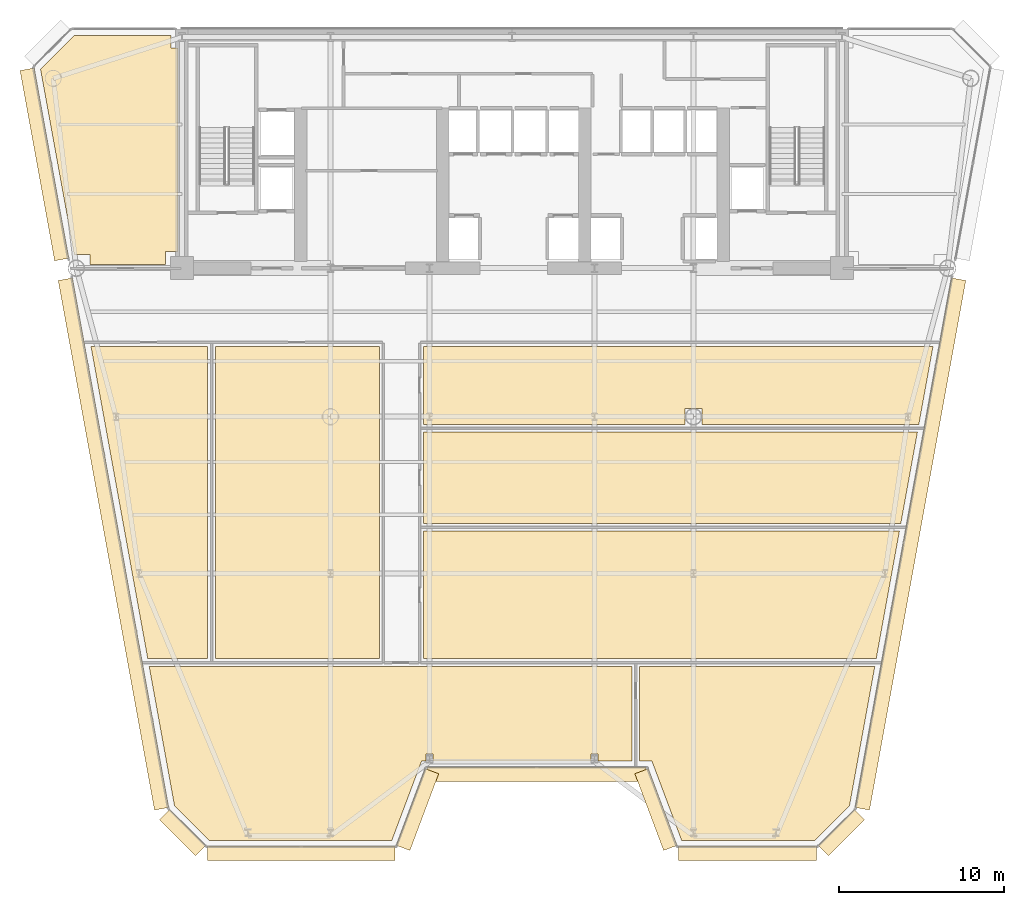
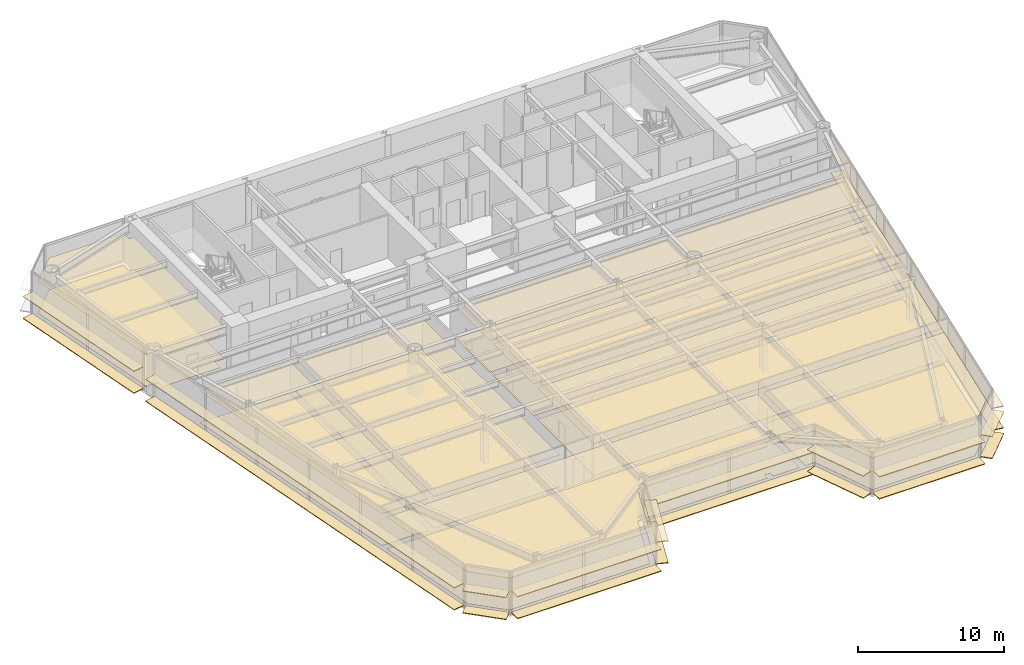
# One storey, part 11 of 14: 36 coverings.
"""IFC4 building model written with IfcOpenShell, lengths in metres."""

from ifc_helpers import new_model, si_unit, direction, frame, origin, origin_2d, place, context, subcontext, project, spatial, polyline, rectangle, outline, extrude, source, transform, mapped, material, layer, layer_set, type_object, element, save


model = new_model("IFC4")

# Units and contexts
model_context = context("Model", 3, precision=1e-05, world=origin(), true_north=direction((0.0, 1.0)))
body_context = subcontext(model_context, "Body", "Model", "MODEL_VIEW")
ifc_project = project(units=[si_unit("LENGTHUNIT", "METRE"), si_unit("AREAUNIT", "SQUARE_METRE"), si_unit("VOLUMEUNIT", "CUBIC_METRE"), si_unit("PLANEANGLEUNIT", "RADIAN"), si_unit("MASSUNIT", "GRAM", prefix="KILO")], contexts=[model_context])

# Site, building, storey
site_placement = place(None, origin())
site = spatial("IfcSite", under=ifc_project, at=site_placement, CompositionType="ELEMENT")
building_placement = place(site_placement, origin())
building = spatial("IfcBuilding", under=site, at=building_placement, Name="Vaeldorn Concourse Tower", CompositionType="ELEMENT")
storey_placement = place(building_placement, frame((0.0, 0.0, 122.39990234375)))
storey = spatial("IfcBuildingStorey", under=building, at=storey_placement, Name="L31", CompositionType="ELEMENT", Elevation=122.39990234375)

# Coverings
ifc_material_1 = material(Name="Acoustic Mineral Fibre Board", Category="gypsum")
ifc_layer_1 = layer(ifc_material_1, 0.0400390625)
ifc_layer_set_1 = layer_set([ifc_layer_1], Name="Acoustic Mineral Fibre Board")
covering_type_1 = type_object("IfcCoveringType", Name="COV-CEIL-ACOUSTIC", PredefinedType="CEILING", material=ifc_layer_set_1)
covering_1_placement = place(storey_placement, frame((0.0, 0.0, 2.650146484375)))
element("IfcCovering", 1, at=covering_1_placement, inside=storey, type_object=covering_type_1, Name="Suspended Acoustic Ceiling L31-3", PredefinedType="CEILING", context=body_context, shape_type="SweptSolid", body=[
    extrude(outline(polyline([(7.4658203125, 50.60009765625), (13.340087890625, 50.60009765625), (13.340087890625, 49.840087890625), (13.760009765625, 49.840087890625), (13.760009765625, 37.5), (13.0, 37.5), (13.0, 36.719970703125), (8.419921875, 36.719970703125), (8.419921875, 37.320068359375), (7.476318359375, 37.320068359375), (5.43115234375, 48.5654296875), (7.4658203125, 50.60009765625)])), origin(), (0.0, 0.0, 1.0), 0.0400390625),
])
covering_2_placement = place(storey_placement, frame((0.0, 0.0, 2.650146484375)))
element("IfcCovering", 2, at=covering_2_placement, inside=storey, type_object=covering_type_1, Name="Suspended Acoustic Ceiling L31-5", PredefinedType="CEILING", context=body_context, shape_type="SweptSolid", body=[
    extrude(outline(polyline([(41.260009765625, 12.360107421875), (41.260009765625, 6.634521484375), (39.2119140625, 6.634521484375), (39.2119140625, 7.071533203125), (38.7880859375, 7.071533203125), (38.7880859375, 6.634521484375), (29.2119140625, 6.634521484375), (29.2119140625, 7.071533203125), (28.7880859375, 7.071533203125), (28.7880859375, 6.634521484375), (28.522705078125, 6.634521484375), (26.722900390625, 1.83447265625), (15.64404296875, 1.83447265625), (13.549560546875, 3.928955078125), (12.01611328125, 12.360107421875), (41.260009765625, 12.360107421875)])), origin(), (0.0, 0.0, 1.0), 0.0400390625),
])
covering_3_placement = place(storey_placement, frame((0.0, 0.0, 2.650146484375)))
element("IfcCovering", 3, at=covering_3_placement, inside=storey, type_object=covering_type_1, Name="Suspended Acoustic Ceiling L31-6", PredefinedType="CEILING", context=body_context, shape_type="SweptSolid", body=[
    extrude(outline(polyline([(41.739990234375, 6.634521484375), (41.739990234375, 12.360107421875), (55.98388671875, 12.360107421875), (54.450439453125, 3.928955078125), (52.35595703125, 1.83447265625), (44.277099609375, 1.83447265625), (42.477294921875, 6.634521484375), (41.739990234375, 6.634521484375)])), origin(), (0.0, 0.0, 1.0), 0.0400390625),
])
covering_4_placement = place(storey_placement, frame((0.0, 0.0, 2.650146484375)))
element("IfcCovering", 4, at=covering_4_placement, inside=storey, type_object=covering_type_1, Name="Suspended Acoustic Ceiling L31-7", PredefinedType="CEILING", context=body_context, shape_type="SweptSolid", body=[
    extrude(outline(polyline([(15.56005859375, 31.760009765625), (15.56005859375, 12.840087890625), (11.9287109375, 12.840087890625), (8.487548828125, 31.760009765625), (15.56005859375, 31.760009765625)])), origin(), (0.0, 0.0, 1.0), 0.0400390625),
])
covering_5_placement = place(storey_placement, frame((0.0, 0.0, 2.650146484375)))
element("IfcCovering", 5, at=covering_5_placement, inside=storey, type_object=covering_type_1, Name="Suspended Acoustic Ceiling L31-8", PredefinedType="CEILING", context=body_context, shape_type="SweptSolid", body=[
    extrude(outline(polyline([(16.0400390625, 31.760009765625), (25.9599609375, 31.760009765625), (25.9599609375, 12.840087890625), (16.0400390625, 12.840087890625), (16.0400390625, 31.760009765625)])), origin(), (0.0, 0.0, 1.0), 0.0400390625),
])
covering_6_placement = place(storey_placement, frame((0.0, 0.0, 2.650146484375)))
element("IfcCovering", 6, at=covering_6_placement, inside=storey, type_object=covering_type_1, Name="Suspended Acoustic Ceiling L31-9", PredefinedType="CEILING", context=body_context, shape_type="SweptSolid", body=[
    extrude(outline(polyline([(28.639892578125, 12.840087890625), (28.639892578125, 20.56005859375), (57.475341796875, 20.56005859375), (56.0712890625, 12.840087890625), (28.639892578125, 12.840087890625)])), origin(), (0.0, 0.0, 1.0), 0.0400390625),
])
covering_7_placement = place(storey_placement, frame((0.0, 0.0, 2.650146484375)))
element("IfcCovering", 7, at=covering_7_placement, inside=storey, type_object=covering_type_1, Name="Suspended Acoustic Ceiling L31-10", PredefinedType="CEILING", context=body_context, shape_type="SweptSolid", body=[
    extrude(outline(polyline([(28.639892578125, 21.0400390625), (28.639892578125, 26.56005859375), (58.566650390625, 26.56005859375), (57.562744140625, 21.0400390625), (28.639892578125, 21.0400390625)])), origin(), (0.0, 0.0, 1.0), 0.0400390625),
])
covering_8_placement = place(storey_placement, frame((0.0, 0.0, 2.650146484375)))
element("IfcCovering", 8, at=covering_8_placement, inside=storey, type_object=covering_type_1, Name="Suspended Acoustic Ceiling L31-11", PredefinedType="CEILING", context=body_context, shape_type="SweptSolid", body=[
    extrude(outline(polyline([(28.639892578125, 31.760009765625), (59.512451171875, 31.760009765625), (58.65380859375, 27.0400390625), (45.508056640625, 27.0400390625), (45.508056640625, 28.008056640625), (44.491943359375, 28.008056640625), (44.491943359375, 27.0400390625), (28.639892578125, 27.0400390625), (28.639892578125, 31.760009765625)])), origin(), (0.0, 0.0, 1.0), 0.0400390625),
])
ifc_material_2 = material(Name="Honed Limestone Terrazzo Flooring", Category="masonry")
ifc_layer_2 = layer(ifc_material_2, 0.0400390625)
ifc_layer_set_2 = layer_set([ifc_layer_2], Name="Honed Limestone Terrazzo Flooring")
covering_type_2 = type_object("IfcCoveringType", Name="COV-FLOOR-STONE", PredefinedType="FLOORING", material=ifc_layer_set_2)
covering_9_placement = place(storey_placement, origin())
element("IfcCovering", 9, at=covering_9_placement, inside=storey, type_object=covering_type_2, Name="Floor Finish Covering L31-3", PredefinedType="FLOORING", context=body_context, shape_type="SweptSolid", body=[
    extrude(outline(polyline([(7.4658203125, 50.60009765625), (13.340087890625, 50.60009765625), (13.340087890625, 49.840087890625), (13.760009765625, 49.840087890625), (13.760009765625, 37.5), (13.0, 37.5), (13.0, 36.719970703125), (8.419921875, 36.719970703125), (8.419921875, 37.320068359375), (7.476318359375, 37.320068359375), (5.43115234375, 48.5654296875), (7.4658203125, 50.60009765625)])), origin(), (0.0, 0.0, 1.0), 0.030029296875),
])
covering_10_placement = place(storey_placement, origin())
element("IfcCovering", 10, at=covering_10_placement, inside=storey, type_object=covering_type_2, Name="Floor Finish Covering L31-5", PredefinedType="FLOORING", context=body_context, shape_type="SweptSolid", body=[
    extrude(outline(polyline([(41.260009765625, 12.360107421875), (41.260009765625, 6.634521484375), (39.2119140625, 6.634521484375), (39.2119140625, 7.071533203125), (38.7880859375, 7.071533203125), (38.7880859375, 6.634521484375), (29.2119140625, 6.634521484375), (29.2119140625, 7.071533203125), (28.7880859375, 7.071533203125), (28.7880859375, 6.634521484375), (28.522705078125, 6.634521484375), (26.722900390625, 1.83447265625), (15.64404296875, 1.83447265625), (13.549560546875, 3.928955078125), (12.01611328125, 12.360107421875), (41.260009765625, 12.360107421875)])), origin(), (0.0, 0.0, 1.0), 0.030029296875),
])
covering_11_placement = place(storey_placement, origin())
element("IfcCovering", 11, at=covering_11_placement, inside=storey, type_object=covering_type_2, Name="Floor Finish Covering L31-6", PredefinedType="FLOORING", context=body_context, shape_type="SweptSolid", body=[
    extrude(outline(polyline([(41.739990234375, 6.634521484375), (41.739990234375, 12.360107421875), (55.98388671875, 12.360107421875), (54.450439453125, 3.928955078125), (52.35595703125, 1.83447265625), (44.277099609375, 1.83447265625), (42.477294921875, 6.634521484375), (41.739990234375, 6.634521484375)])), origin(), (0.0, 0.0, 1.0), 0.030029296875),
])
covering_12_placement = place(storey_placement, origin())
element("IfcCovering", 12, at=covering_12_placement, inside=storey, type_object=covering_type_2, Name="Floor Finish Covering L31-7", PredefinedType="FLOORING", context=body_context, shape_type="SweptSolid", body=[
    extrude(outline(polyline([(15.56005859375, 31.760009765625), (15.56005859375, 12.840087890625), (11.9287109375, 12.840087890625), (8.487548828125, 31.760009765625), (15.56005859375, 31.760009765625)])), origin(), (0.0, 0.0, 1.0), 0.030029296875),
])
covering_13_placement = place(storey_placement, origin())
element("IfcCovering", 13, at=covering_13_placement, inside=storey, type_object=covering_type_2, Name="Floor Finish Covering L31-8", PredefinedType="FLOORING", context=body_context, shape_type="SweptSolid", body=[
    extrude(outline(polyline([(16.0400390625, 31.760009765625), (25.9599609375, 31.760009765625), (25.9599609375, 12.840087890625), (16.0400390625, 12.840087890625), (16.0400390625, 31.760009765625)])), origin(), (0.0, 0.0, 1.0), 0.030029296875),
])
covering_14_placement = place(storey_placement, origin())
element("IfcCovering", 14, at=covering_14_placement, inside=storey, type_object=covering_type_2, Name="Floor Finish Covering L31-9", PredefinedType="FLOORING", context=body_context, shape_type="SweptSolid", body=[
    extrude(outline(polyline([(28.639892578125, 12.840087890625), (28.639892578125, 20.56005859375), (57.475341796875, 20.56005859375), (56.0712890625, 12.840087890625), (28.639892578125, 12.840087890625)])), origin(), (0.0, 0.0, 1.0), 0.030029296875),
])
covering_15_placement = place(storey_placement, origin())
element("IfcCovering", 15, at=covering_15_placement, inside=storey, type_object=covering_type_2, Name="Floor Finish Covering L31-10", PredefinedType="FLOORING", context=body_context, shape_type="SweptSolid", body=[
    extrude(outline(polyline([(28.639892578125, 21.0400390625), (28.639892578125, 26.56005859375), (58.566650390625, 26.56005859375), (57.562744140625, 21.0400390625), (28.639892578125, 21.0400390625)])), origin(), (0.0, 0.0, 1.0), 0.030029296875),
])
covering_16_placement = place(storey_placement, origin())
element("IfcCovering", 16, at=covering_16_placement, inside=storey, type_object=covering_type_2, Name="Floor Finish Covering L31-11", PredefinedType="FLOORING", context=body_context, shape_type="SweptSolid", body=[
    extrude(outline(polyline([(28.639892578125, 31.760009765625), (59.512451171875, 31.760009765625), (58.65380859375, 27.0400390625), (45.508056640625, 27.0400390625), (45.508056640625, 28.008056640625), (44.491943359375, 28.008056640625), (44.491943359375, 27.0400390625), (28.639892578125, 27.0400390625), (28.639892578125, 31.760009765625)])), origin(), (0.0, 0.0, 1.0), 0.030029296875),
])
ifc_material_3 = material(Name="Anodised Bronze Aluminium", Category="aluminium")
ifc_layer_3 = layer(ifc_material_3, 0.06494140625)
ifc_layer_set_3 = layer_set([ifc_layer_3], Name="Anodised Bronze Aluminium")
covering_type_3 = type_object("IfcCoveringType", Name="SD-BRONZE-SUNSHADE", PredefinedType="USERDEFINED", material=ifc_layer_set_3)
shared_shape_1 = source(origin(), body_context, "Body", "SweptSolid", [
    extrude(rectangle(XDim=4.96630859375, YDim=0.8798828125, at=origin_2d()), origin(), (0.0, 0.0, 1.0), 0.06494140625),
])
for number, where, z_axis, x_axis, name in (
    (17, (28.2744140625, 3.694091796875, 0.047607421875), (0.0, 0.0, 1.0), (0.351122702609, 0.936329454686, 0.0), "Horizontal Bronze Sunshade L31-E02.1.1"),
    (18, (28.2744140625, 3.694091796875, 1.86767578125), (0.0, 0.0, 1.0), (0.351122702609, 0.936329454686, 0.0), "Horizontal Bronze Sunshade L31-E02.1.2"),
    (19, (42.7255859375, 3.694091796875, 0.047607421875), (0.0, 0.0, 1.0), (0.351122702609, -0.936329454686, 0.0), "Horizontal Bronze Sunshade L31-E04.1.1"),
    (20, (42.7255859375, 3.694091796875, 1.86767578125), (0.0, 0.0, 1.0), (0.351122702609, -0.936329454686, 0.0), "Horizontal Bronze Sunshade L31-E04.1.2"),
):
    element("IfcCovering", number, at=place(storey_placement, frame(where, z_axis=z_axis, x_axis=x_axis)), inside=storey, type_object=covering_type_3, Name=name, ObjectType="SUNSHADE", PredefinedType="USERDEFINED", context=body_context, shape_type="MappedRepresentation", body=[
        mapped(shared_shape_1, transform((0.0, 0.0, 0.0), scale=1.0)),
    ])
shared_shape_2 = source(origin(), body_context, "Body", "SweptSolid", [
    extrude(rectangle(XDim=13.239990234375, YDim=0.8798828125, at=origin_2d()), origin(), (0.0, 0.0, 1.0), 0.06494140625),
])
for number, where, z_axis, x_axis, name in (
    (21, (35.5, 5.83447265625, 0.047607421875), (0.0, 0.0, 1.0), (1.0, 0.0, 0.0), "Horizontal Bronze Sunshade L31-E03.1.1"),
    (22, (35.5, 5.83447265625, 1.86767578125), (0.0, 0.0, 1.0), (1.0, 0.0, 0.0), "Horizontal Bronze Sunshade L31-E03.1.2"),
):
    element("IfcCovering", number, at=place(storey_placement, frame(where, z_axis=z_axis, x_axis=x_axis)), inside=storey, type_object=covering_type_3, Name=name, ObjectType="SUNSHADE", PredefinedType="USERDEFINED", context=body_context, shape_type="MappedRepresentation", body=[
        mapped(shared_shape_2, transform((0.0, 0.0, 0.0), scale=1.0)),
    ])
shared_shape_3 = source(origin(), body_context, "Body", "SweptSolid", [
    extrude(rectangle(XDim=3.0927734375, YDim=0.8798828125, at=origin_2d()), origin(), (0.0, 0.0, 1.0), 0.06494140625),
])
for number, where, z_axis, x_axis, name in (
    (23, (53.95458984375, 2.3017578125, 0.047607421875), (0.0, 0.0, 1.0), (0.707106781187, 0.707106781187, 0.0), "Horizontal Bronze Sunshade L31-E06.1.1"),
    (24, (53.95458984375, 2.3017578125, 1.86767578125), (0.0, 0.0, 1.0), (0.707106781187, 0.707106781187, 0.0), "Horizontal Bronze Sunshade L31-E06.1.2"),
    (25, (14.04541015625, 2.3017578125, 0.047607421875), (0.0, 0.0, 1.0), (0.707106781187, -0.707106781187, 0.0), "Horizontal Bronze Sunshade L31-E12.1.1"),
    (26, (14.04541015625, 2.3017578125, 1.86767578125), (0.0, 0.0, 1.0), (0.707106781187, -0.707106781187, 0.0), "Horizontal Bronze Sunshade L31-E12.1.2"),
):
    element("IfcCovering", number, at=place(storey_placement, frame(where, z_axis=z_axis, x_axis=x_axis)), inside=storey, type_object=covering_type_3, Name=name, ObjectType="SUNSHADE", PredefinedType="USERDEFINED", context=body_context, shape_type="MappedRepresentation", body=[
        mapped(shared_shape_3, transform((0.0, 0.0, 0.0), scale=1.0)),
    ])
shared_shape_4 = source(origin(), body_context, "Body", "SweptSolid", [
    extrude(rectangle(XDim=11.36181640625, YDim=0.8798828125, at=origin_2d()), origin(), (0.0, 0.0, 1.0), 0.06494140625),
])
for number, where, z_axis, x_axis, name in (
    (27, (21.2392578125, 1.034423828125, 0.047607421875), (0.0, 0.0, 1.0), (1.0, 0.0, 0.0), "Horizontal Bronze Sunshade L31-E01.1.1"),
    (28, (21.2392578125, 1.034423828125, 1.86767578125), (0.0, 0.0, 1.0), (1.0, 0.0, 0.0), "Horizontal Bronze Sunshade L31-E01.1.2"),
):
    element("IfcCovering", number, at=place(storey_placement, frame(where, z_axis=z_axis, x_axis=x_axis)), inside=storey, type_object=covering_type_3, Name=name, ObjectType="SUNSHADE", PredefinedType="USERDEFINED", context=body_context, shape_type="MappedRepresentation", body=[
        mapped(shared_shape_4, transform((0.0, 0.0, 0.0), scale=1.0)),
    ])
shared_shape_5 = source(origin(), body_context, "Body", "SweptSolid", [
    extrude(rectangle(XDim=8.36181640625, YDim=0.8798828125, at=origin_2d()), origin(), (0.0, 0.0, 1.0), 0.06494140625),
])
for number, where, z_axis, x_axis, name in (
    (29, (48.260986328125, 1.034423828125, 0.047607421875), (0.0, 0.0, 1.0), (1.0, 0.0, 0.0), "Horizontal Bronze Sunshade L31-E05.1.1"),
    (30, (48.260986328125, 1.034423828125, 1.86767578125), (0.0, 0.0, 1.0), (1.0, 0.0, 0.0), "Horizontal Bronze Sunshade L31-E05.1.2"),
):
    element("IfcCovering", number, at=place(storey_placement, frame(where, z_axis=z_axis, x_axis=x_axis)), inside=storey, type_object=covering_type_3, Name=name, ObjectType="SUNSHADE", PredefinedType="USERDEFINED", context=body_context, shape_type="MappedRepresentation", body=[
        mapped(shared_shape_5, transform((0.0, 0.0, 0.0), scale=1.0)),
    ])
shared_shape_6 = source(origin(), body_context, "Body", "SweptSolid", [
    extrude(rectangle(XDim=32.616455078125, YDim=0.8798828125, at=origin_2d()), origin(), (0.0, 0.0, 1.0), 0.06494140625),
])
for number, where, z_axis, x_axis, name in (
    (31, (58.147705078125, 19.78662109375, 0.047607421875), (0.0, 0.0, 1.0), (0.17893958964, 0.983860062844, 0.0), "Horizontal Bronze Sunshade L31-E07.1.1"),
    (32, (58.147705078125, 19.78662109375, 1.86767578125), (0.0, 0.0, 1.0), (0.17893958964, 0.983860062844, 0.0), "Horizontal Bronze Sunshade L31-E07.1.2"),
    (33, (9.852294921875, 19.78662109375, 0.047607421875), (0.0, 0.0, 1.0), (0.17893958964, -0.983860062844, 0.0), "Horizontal Bronze Sunshade L31-E11.2.1"),
    (34, (9.852294921875, 19.78662109375, 1.86767578125), (0.0, 0.0, 1.0), (0.17893958964, -0.983860062844, 0.0), "Horizontal Bronze Sunshade L31-E11.2.2"),
):
    element("IfcCovering", number, at=place(storey_placement, frame(where, z_axis=z_axis, x_axis=x_axis)), inside=storey, type_object=covering_type_3, Name=name, ObjectType="SUNSHADE", PredefinedType="USERDEFINED", context=body_context, shape_type="MappedRepresentation", body=[
        mapped(shared_shape_6, transform((0.0, 0.0, 0.0), scale=1.0)),
    ])
shared_shape_7 = source(origin(), body_context, "Body", "SweptSolid", [
    extrude(rectangle(XDim=11.713623046875, YDim=0.8798828125, at=origin_2d()), origin(), (0.0, 0.0, 1.0), 0.06494140625),
])
for number, where, z_axis, x_axis, name in (
    (35, (5.668701171875, 42.787353515625, 0.047607421875), (0.0, 0.0, 1.0), (0.17893958964, -0.983860062844, 0.0), "Horizontal Bronze Sunshade L31-E11.1.1"),
    (36, (5.668701171875, 42.787353515625, 1.86767578125), (0.0, 0.0, 1.0), (0.17893958964, -0.983860062844, 0.0), "Horizontal Bronze Sunshade L31-E11.1.2"),
):
    element("IfcCovering", number, at=place(storey_placement, frame(where, z_axis=z_axis, x_axis=x_axis)), inside=storey, type_object=covering_type_3, Name=name, ObjectType="SUNSHADE", PredefinedType="USERDEFINED", context=body_context, shape_type="MappedRepresentation", body=[
        mapped(shared_shape_7, transform((0.0, 0.0, 0.0), scale=1.0)),
    ])

save(model, "model.ifc")
